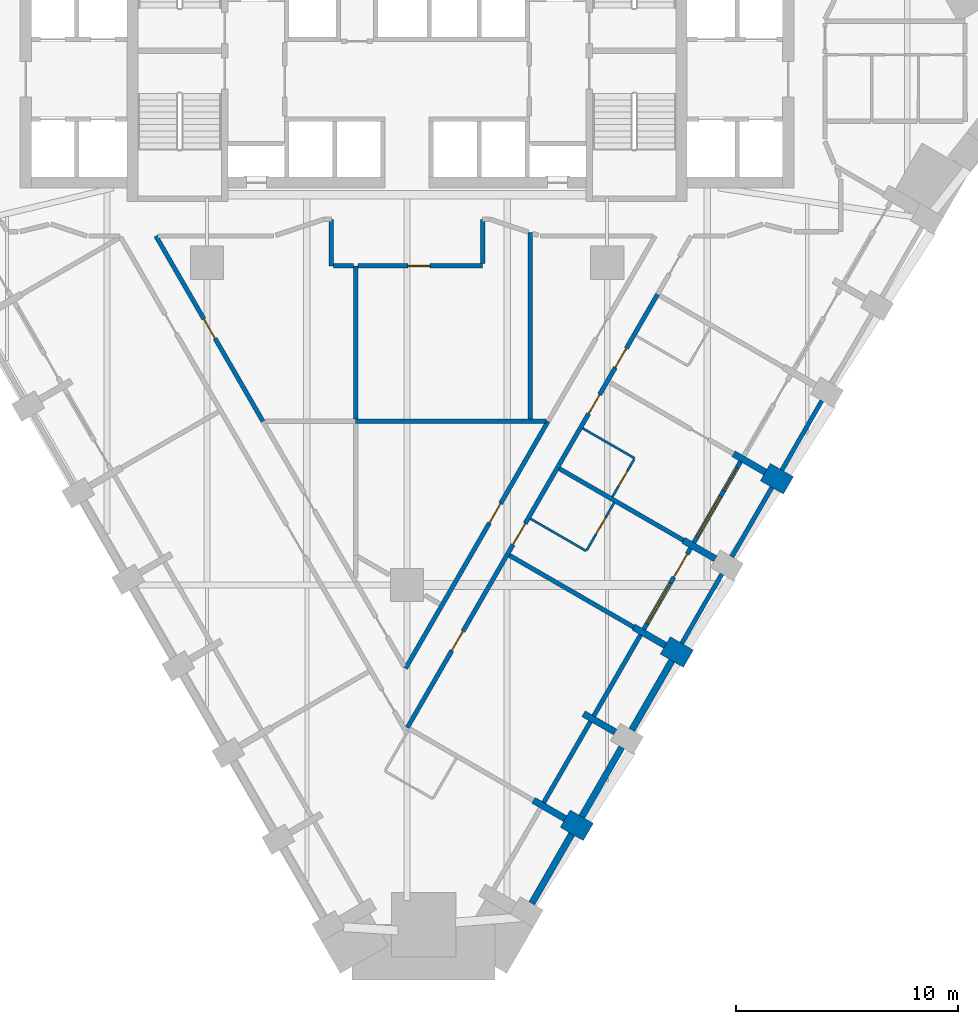
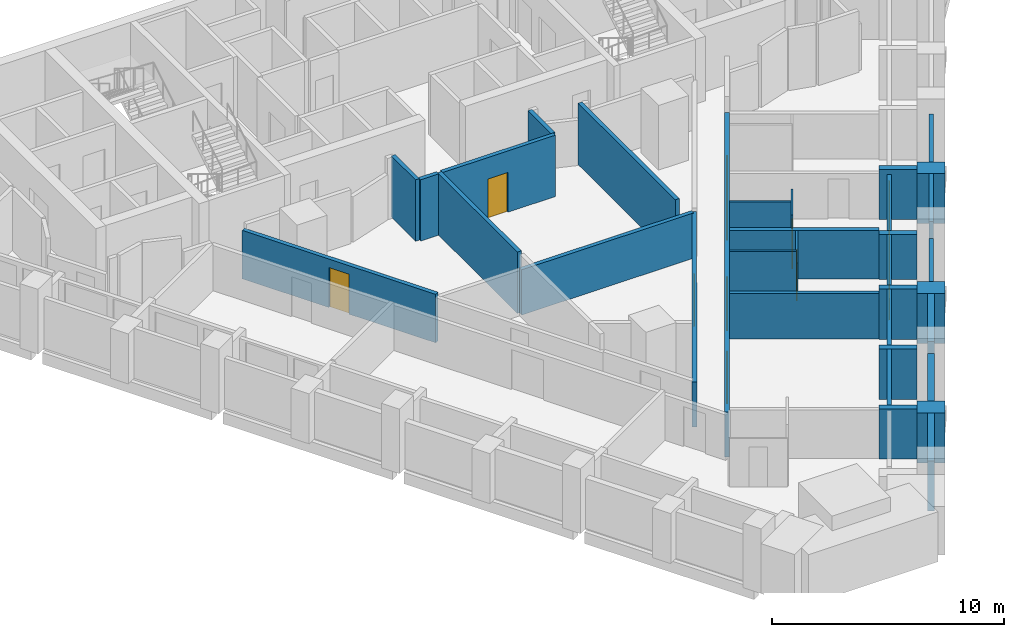
# One storey, part 4 of 11: 34 walls, 11 doors, 2 windows, 13 openings.
"""IFC4 building model written with IfcOpenShell, lengths in metres."""

from ifc_helpers import new_model, si_unit, direction, frame, frame_2d, origin, place, context, subcontext, project, spatial, rectangle, extrude, material, layer, layer_set, type_object, element, fill, save


model = new_model("IFC4")

# Units and contexts
model_context = context("Model", 3, precision=1e-05, world=origin(), true_north=direction((0.0, 1.0)))
body_context = subcontext(model_context, "Body", "Model", "MODEL_VIEW")
ifc_project = project(units=[si_unit("LENGTHUNIT", "METRE"), si_unit("AREAUNIT", "SQUARE_METRE"), si_unit("VOLUMEUNIT", "CUBIC_METRE"), si_unit("PLANEANGLEUNIT", "RADIAN"), si_unit("MASSUNIT", "GRAM", prefix="KILO")], contexts=[model_context])

# Site, building, storey
site_placement = place(None, origin())
site = spatial("IfcSite", under=ifc_project, at=site_placement, CompositionType="ELEMENT")
building_placement = place(site_placement, origin())
building = spatial("IfcBuilding", under=site, at=building_placement, Name="Calabash Gate Tower", CompositionType="ELEMENT")
storey_placement = place(building_placement, frame((0.0, 0.0, 115.60009765625)))
storey = spatial("IfcBuildingStorey", under=building, at=storey_placement, Name="L26", CompositionType="ELEMENT", Elevation=115.60009765625)

# Walls
ifc_material_1 = material(Name="Terracotta brick masonry, exposed face", Category="masonry")
ifc_layer_1 = layer(ifc_material_1, 1.199951171875)
ifc_layer_set_1 = layer_set([ifc_layer_1], Name="Brick end wall 1200")
wall_type_1 = type_object("IfcWallType", Name="Brick end wall 1200", PredefinedType="SOLIDWALL", material=ifc_layer_set_1)
for number, where, z_axis, x_axis, name in (
    (1, (8.156494140625, -23.11083984375, 0.0), (0.0, 0.0, 1.0), (-0.866006032174, 0.500033551112, 0.0), "Brick pier S07 SE2.1"),
    (2, (12.656494140625, -15.316650390625, 0.0), (0.0, 0.0, 1.0), (-0.866006032174, 0.500033551112, 0.0), "Brick pier S07 SE2.3"),
    (3, (17.156494140625, -7.5224609375, 0.0), (0.0, 0.0, 1.0), (-0.866006032174, 0.500033551112, 0.0), "Brick pier S07 SE2.5"),
):
    element("IfcWall", number, at=place(storey_placement, frame(where, z_axis=z_axis, x_axis=x_axis)), inside=storey, type_object=wall_type_1, Name=name, PredefinedType="SOLIDWALL", context=body_context, shape_type="SweptSolid", body=[
        extrude(rectangle(XDim=1.2001953125, YDim=0.89990234375, at=frame_2d((0.60009765625, 0.0))), origin(), (0.0, 0.0, 1.0), 2.6298828125),
    ])
ifc_material_2 = material(Name="Terracotta brick masonry, exposed face", Category="masonry")
ifc_layer_2 = layer(ifc_material_2, 0.300048828125)
ifc_layer_set_2 = layer_set([ifc_layer_2], Name="Brick infill panel wall 300")
wall_type_2 = type_object("IfcWallType", Name="Brick infill panel wall 300", PredefinedType="SOLIDWALL", material=ifc_layer_set_2)
for number, where, z_axis, x_axis, name in (
    (4, (5.61181640625, -26.318115234375, 0.0), (0.0, 0.0, 1.0), (0.500012057535, 0.866018442252, 0.0), "Brick panel S07 SE2.1"),
    (5, (7.86181640625, -22.421142578125, 0.0), (0.0, 0.0, 1.0), (0.500012057535, 0.866018442252, 0.0), "Brick panel S07 SE2.2"),
    (6, (10.11181640625, -18.52392578125, 0.0), (0.0, 0.0, 1.0), (0.500012057535, 0.866018442252, 0.0), "Brick panel S07 SE2.3"),
):
    element("IfcWall", number, at=place(storey_placement, frame(where, z_axis=z_axis, x_axis=x_axis)), inside=storey, type_object=wall_type_2, Name=name, PredefinedType="SOLIDWALL", context=body_context, shape_type="SweptSolid", body=[
        extrude(rectangle(XDim=3.60009765625, YDim=0.300048828125, at=frame_2d((1.800048828125, 0.0))), origin(), (0.0, 0.0, 1.0), 2.6298828125),
    ])
ifc_material_3 = material(Name="Terracotta brick masonry, exposed face", Category="masonry")
ifc_layer_3 = layer(ifc_material_3, 0.300048828125)
ifc_layer_set_3 = layer_set([ifc_layer_3], Name="Brick loggia cheek wall 300")
wall_type_3 = type_object("IfcWallType", Name="Brick loggia cheek wall 300", PredefinedType="SOLIDWALL", material=ifc_layer_set_3)
for number, where, z_axis, x_axis, name in (
    (7, (7.1171875, -22.5107421875, 0.0), (0.0, 0.0, 1.0), (-0.866040211805, 0.499974350878, 0.0), "Loggia cheek S07 SE2.1"),
    (8, (7.938232421875, -17.788818359375, 0.0), (0.0, 0.0, 1.0), (0.866040211805, -0.499974350878, 0.0), "Loggia cheek S07 SE2.2"),
    (9, (11.6171875, -14.716552734375, 0.0), (0.0, 0.0, 1.0), (-0.866040211805, 0.499974350878, 0.0), "Loggia cheek S07 SE2.3"),
):
    element("IfcWall", number, at=place(storey_placement, frame(where, z_axis=z_axis, x_axis=x_axis)), inside=storey, type_object=wall_type_3, Name=name, PredefinedType="SOLIDWALL", context=body_context, shape_type="SweptSolid", body=[
        extrude(rectangle(XDim=1.64990234375, YDim=0.300048828125, at=frame_2d((0.824951171875, 0.0))), origin(), (0.0, 0.0, 1.0), 2.64990234375),
    ])
wall_1_placement = place(storey_placement, frame((12.438232421875, -9.994384765625, 0.0), z_axis=(0.0, 0.0, 1.0), x_axis=(0.866040211805, -0.499974350878, 0.0)))
element("IfcWall", 10, at=wall_1_placement, inside=storey, type_object=wall_type_3, Name="Loggia cheek S07 SE2.4", PredefinedType="SOLIDWALL", context=body_context, shape_type="SweptSolid", body=[
    extrude(rectangle(XDim=1.64990234375, YDim=0.300048828125, at=frame_2d((0.824951171875, 0.0))), origin(), (0.0, 0.0, 1.0), 2.384033203125),
])
wall_2_placement = place(storey_placement, frame((14.688232421875, -6.097412109375, 0.0), z_axis=(0.0, 0.0, 1.0), x_axis=(0.866040211805, -0.499974350878, 0.0)))
element("IfcWall", 11, at=wall_2_placement, inside=storey, type_object=wall_type_3, Name="Loggia cheek S07 SE2.5", PredefinedType="SOLIDWALL", context=body_context, shape_type="SweptSolid", body=[
    extrude(rectangle(XDim=1.64990234375, YDim=0.300048828125, at=frame_2d((0.824951171875, 0.0))), origin(), (0.0, 0.0, 1.0), 2.64990234375),
])

# Wall, opening, door
ifc_material_4 = material(Name="Gypsum board on steel studs, mineral wool", Category="steel")
ifc_layer_4 = layer(ifc_material_4, 0.10009765625)
ifc_layer_set_4 = layer_set([ifc_layer_4], Name="Partition 100 gypsum board")
wall_type_4 = type_object("IfcWallType", Name="Partition 100 gypsum board", PredefinedType="PARTITIONING", material=ifc_layer_set_4)
wall_3_placement = place(storey_placement, frame((8.0888671875, -10.427978515625, 0.0), z_axis=(0.0, 0.0, 1.0), x_axis=(0.500018594424, 0.866014668023, 0.0)))
wall_3 = element("IfcWall", 12, at=wall_3_placement, inside=storey, type_object=wall_type_4, Name="Partition", PredefinedType="PARTITIONING", context=body_context, shape_type="SweptSolid", body=[
    extrude(rectangle(XDim=2.4501953125, YDim=0.10009765625, at=frame_2d((1.22509765625, 0.0))), origin(), (0.0, 0.0, 1.0), 2.5517578125),
])
opening_1_placement = place(wall_3_placement, frame((0.800048828125, 0.0, 0.0)))
opening_1 = element("IfcOpeningElement", 13, at=opening_1_placement, cuts=wall_3, Name="Opening 25-27-005", PredefinedType="OPENING", context=body_context, shape_type="SweptSolid", body=[
    extrude(rectangle(XDim=0.89990234375, YDim=2.10009765625, at=frame_2d((0.449951171875, 1.050048828125))), frame((0.0, 0.06005859375, 0.0), z_axis=(0.0, -1.0, 0.0), x_axis=(1.0, 0.0, 0.0)), (0.0, 0.0, 1.0), 0.1201171875),
])
ifc_material_5 = material(Name="Painted timber door", Category="wood")
door_type_1 = type_object("IfcDoorType", Name="GD6 Accessible en-suite door 900x2100", OperationType="NOTDEFINED", PredefinedType="DOOR", material=ifc_material_5)
door_1_placement = place(opening_1_placement, origin())
door_1 = element("IfcDoor", 14, at=door_1_placement, inside=storey, type_object=door_type_1, Name="Accessible en-suite door", OperationType="SINGLE_SWING_LEFT", OverallHeight=2.10009765625, OverallWidth=0.89990234375, PredefinedType="DOOR", context=body_context, shape_type="SweptSolid", body=[
    extrude(rectangle(XDim=0.89990234375, YDim=2.10009765625, at=frame_2d((0.449951171875, 1.050048828125))), frame((0.0, 0.02490234375, 0.0), z_axis=(0.0, -1.0, 0.0), x_axis=(1.0, 0.0, 0.0)), (0.0, 0.0, 1.0), 0.050048828125),
])
fill(opening_1, door_1)

# Wall
wall_4_placement = place(storey_placement, frame((5.553466796875, -9.019775390625, 0.0), z_axis=(0.0, 0.0, 1.0), x_axis=(0.865729701078, -0.500511822708, 0.0)))
element("IfcWall", 15, at=wall_4_placement, inside=storey, type_object=wall_type_4, Name="Partition", PredefinedType="PARTITIONING", context=body_context, shape_type="SweptSolid", body=[
    extrude(rectangle(XDim=2.89990234375, YDim=0.10009765625, at=frame_2d((1.449951171875, 0.0))), origin(), (0.0, 0.0, 1.0), 3.22998046875),
])

# Wall, opening, door
wall_5_placement = place(storey_placement, frame((9.239501953125, -8.031982421875, 0.0), z_axis=(0.0, 0.0, 1.0), x_axis=(0.500675951608, 0.865634791053, 0.0)))
wall_5 = element("IfcWall", 16, at=wall_5_placement, inside=storey, type_object=wall_type_4, Name="Partition", PredefinedType="PARTITIONING", context=body_context, shape_type="SweptSolid", body=[
    extrude(rectangle(XDim=1.949951171875, YDim=0.10009765625, at=frame_2d((0.97509765625, 0.0))), origin(), (0.0, 0.0, 1.0), 3.22998046875),
])
opening_2_placement = place(wall_5_placement, frame((0.5498046875, 0.0, 0.0)))
opening_2 = element("IfcOpeningElement", 17, at=opening_2_placement, cuts=wall_5, Name="Opening 25-27-007", PredefinedType="OPENING", context=body_context, shape_type="SweptSolid", body=[
    extrude(rectangle(XDim=0.800048828125, YDim=2.10009765625, at=frame_2d((0.39990234375, 1.050048828125))), frame((0.0, 0.06005859375, 0.0), z_axis=(0.0, -1.0, 0.0), x_axis=(1.0, 0.0, 0.0)), (0.0, 0.0, 1.0), 0.1201171875),
])
ifc_material_6 = material(Name="Painted timber door", Category="wood")
door_type_2 = type_object("IfcDoorType", Name="GD5 En-suite door 800x2100", OperationType="NOTDEFINED", PredefinedType="DOOR", material=ifc_material_6)
door_2_placement = place(opening_2_placement, origin())
door_2 = element("IfcDoor", 18, at=door_2_placement, inside=storey, type_object=door_type_2, Name="En-suite door", OperationType="SINGLE_SWING_LEFT", OverallHeight=2.10009765625, OverallWidth=0.800048828125, PredefinedType="DOOR", context=body_context, shape_type="SweptSolid", body=[
    extrude(rectangle(XDim=0.800048828125, YDim=2.10009765625, at=frame_2d((0.39990234375, 1.050048828125))), frame((0.0, 0.02490234375, 0.0), z_axis=(0.0, -1.0, 0.0), x_axis=(1.0, 0.0, 0.0)), (0.0, 0.0, 1.0), 0.050048828125),
])
fill(opening_2, door_2)

# Wall
wall_6_placement = place(storey_placement, frame((7.90185546875, -4.952392578125, 0.0), z_axis=(0.0, 0.0, 1.0), x_axis=(0.866339109022, -0.499456252518, 0.0)))
element("IfcWall", 19, at=wall_6_placement, inside=storey, type_object=wall_type_4, Name="Partition", PredefinedType="PARTITIONING", context=body_context, shape_type="SweptSolid", body=[
    extrude(rectangle(XDim=2.69970703125, YDim=0.10009765625, at=frame_2d((1.349853515625, 0.0))), origin(), (0.0, 0.0, 1.0), 2.5517578125),
])

# Wall, opening, door
ifc_material_7 = material(Name="Gypsum board on steel studs, mineral wool", Category="steel")
ifc_layer_5 = layer(ifc_material_7, 0.199951171875)
ifc_layer_set_5 = layer_set([ifc_layer_5], Name="Partition 200 gypsum board EI 60")
wall_type_5 = type_object("IfcWallType", Name="Partition 200 gypsum board EI 60", PredefinedType="PARTITIONING", material=ifc_layer_set_5)
wall_7_placement = place(storey_placement, frame((-0.0654296875, -15.751220703125, 0.0), z_axis=(0.0, 0.0, 1.0), x_axis=(0.499524753178, 0.866299613854, 0.0)))
wall_7 = element("IfcWall", 20, at=wall_7_placement, inside=storey, type_object=wall_type_5, Name="Partition", PredefinedType="PARTITIONING", context=body_context, shape_type="SweptSolid", body=[
    extrude(rectangle(XDim=12.82958984375, YDim=0.199951171875, at=frame_2d((6.414794921875, 0.0))), origin(), (0.0, 0.0, 1.0), 2.3740234375),
])
opening_3_placement = place(wall_7_placement, frame((7.55615234375, 0.0, 0.0)))
opening_3 = element("IfcOpeningElement", 21, at=opening_3_placement, cuts=wall_7, Name="Opening 25-27-016", PredefinedType="OPENING", context=body_context, shape_type="SweptSolid", body=[
    extrude(rectangle(XDim=1.0, YDim=2.10009765625, at=frame_2d((0.5, 1.050048828125))), frame((0.0, 0.10986328125, 0.0), z_axis=(0.0, -1.0, 0.0), x_axis=(1.0, 0.0, 0.0)), (0.0, 0.0, 1.0), 0.219970703125),
])
ifc_material_8 = material(Name="Steel fire door set with fire-resisting glazing", Category="steel")
door_type_3 = type_object("IfcDoorType", Name="LD2 Meeting room door 1000x2100", OperationType="NOTDEFINED", PredefinedType="DOOR", material=ifc_material_8)
door_3_placement = place(opening_3_placement, origin())
door_3 = element("IfcDoor", 22, at=door_3_placement, inside=storey, type_object=door_type_3, Name="Meeting room door", OperationType="SINGLE_SWING_RIGHT", OverallHeight=2.10009765625, OverallWidth=1.0, PredefinedType="DOOR", context=body_context, shape_type="SweptSolid", body=[
    extrude(rectangle(XDim=1.0, YDim=2.10009765625, at=frame_2d((0.5, 1.050048828125))), frame((0.0, 0.02490234375, 0.0), z_axis=(0.0, -1.0, 0.0), x_axis=(1.0, 0.0, 0.0)), (0.0, 0.0, 1.0), 0.050048828125),
])
fill(opening_3, door_3)

# Walls
wall_8_placement = place(storey_placement, frame((4.603515625, -10.6650390625, 0.0), z_axis=(0.0, 0.0, 1.0), x_axis=(0.865901871826, -0.500213902613, 0.0)))
element("IfcWall", 23, at=wall_8_placement, inside=storey, type_object=wall_type_5, Name="Partition", PredefinedType="PARTITIONING", context=body_context, shape_type="SweptSolid", body=[
    extrude(rectangle(XDim=6.449951171875, YDim=0.199951171875, at=frame_2d((3.22509765625, 0.0))), origin(), (0.0, 0.0, 1.0), 2.3740234375),
])
wall_9_placement = place(storey_placement, frame((6.853515625, -6.767822265625, 0.0), z_axis=(0.0, 0.0, 1.0), x_axis=(0.866012238917, -0.500022801525, 0.0)))
element("IfcWall", 24, at=wall_9_placement, inside=storey, type_object=wall_type_5, Name="Partition", PredefinedType="PARTITIONING", context=body_context, shape_type="SweptSolid", body=[
    extrude(rectangle(XDim=6.449951171875, YDim=0.199951171875, at=frame_2d((3.22509765625, 0.0))), origin(), (0.0, 0.0, 1.0), 2.5517578125),
])
wall_10_placement = place(storey_placement, frame((-2.311279296875, -4.641357421875, 0.0), z_axis=(0.0, 0.0, 1.0), x_axis=(1.0, 0.0, 0.0)))
element("IfcWall", 25, at=wall_10_placement, inside=storey, type_object=wall_type_5, Name="Partition", PredefinedType="PARTITIONING", context=body_context, shape_type="SweptSolid", body=[
    extrude(rectangle(XDim=8.56005859375, YDim=0.199951171875, at=frame_2d((4.280029296875, 0.0))), origin(), (0.0, 0.0, 1.0), 2.384033203125),
])

# Wall, openings, doors
wall_11_placement = place(storey_placement, frame((0.017578125, -18.411865234375, 0.0), z_axis=(0.0, 0.0, 1.0), x_axis=(0.49999953585, 0.866025671762, 0.0)))
wall_11 = element("IfcWall", 26, at=wall_11_placement, inside=storey, type_object=wall_type_5, Name="Partition", PredefinedType="PARTITIONING", context=body_context, shape_type="SweptSolid", body=[
    extrude(rectangle(XDim=22.5, YDim=0.199951171875, at=frame_2d((11.25, 0.0))), origin(), (0.0, 0.0, 1.0), 2.3740234375),
])
opening_4_placement = place(wall_11_placement, frame((4.0, 0.0, 0.0)))
opening_4 = element("IfcOpeningElement", 27, at=opening_4_placement, cuts=wall_11, Name="Opening 25-27-003", PredefinedType="OPENING", context=body_context, shape_type="SweptSolid", body=[
    extrude(rectangle(XDim=1.0, YDim=2.10009765625, at=frame_2d((0.5, 1.050048828125))), frame((0.0, 0.10986328125, 0.0), z_axis=(0.0, -1.0, 0.0), x_axis=(1.0, 0.0, 0.0)), (0.0, 0.0, 1.0), 0.219970703125),
])
opening_5_placement = place(wall_11_placement, frame((9.5, 0.0, 0.0)))
opening_5 = element("IfcOpeningElement", 28, at=opening_5_placement, cuts=wall_11, Name="Opening 25-27-004", PredefinedType="OPENING", context=body_context, shape_type="SweptSolid", body=[
    extrude(rectangle(XDim=1.10009765625, YDim=2.10009765625, at=frame_2d((0.550048828125, 1.050048828125))), frame((0.0, 0.10986328125, 0.0), z_axis=(0.0, -1.0, 0.0), x_axis=(1.0, 0.0, 0.0)), (0.0, 0.0, 1.0), 0.219970703125),
])
opening_6_placement = place(wall_11_placement, frame((16.2998046875, 0.0, 0.0)))
opening_6 = element("IfcOpeningElement", 29, at=opening_6_placement, cuts=wall_11, Name="Opening 25-27-006", PredefinedType="OPENING", context=body_context, shape_type="SweptSolid", body=[
    extrude(rectangle(XDim=1.0, YDim=2.10009765625, at=frame_2d((0.5, 1.050048828125))), frame((0.0, 0.10986328125, 0.0), z_axis=(0.0, -1.0, 0.0), x_axis=(1.0, 0.0, 0.0)), (0.0, 0.0, 1.0), 0.219970703125),
])
opening_7_placement = place(wall_11_placement, frame((18.699951171875, 0.0, 0.0)))
opening_7 = element("IfcOpeningElement", 30, at=opening_7_placement, cuts=wall_11, Name="Opening 25-27-008", PredefinedType="OPENING", context=body_context, shape_type="SweptSolid", body=[
    extrude(rectangle(XDim=1.0, YDim=2.10009765625, at=frame_2d((0.5, 1.050048828125))), frame((0.0, 0.10986328125, 0.0), z_axis=(0.0, -1.0, 0.0), x_axis=(1.0, 0.0, 0.0)), (0.0, 0.0, 1.0), 0.219970703125),
])
ifc_material_9 = material(Name="Steel fire door set with fire-resisting glazing", Category="steel")
door_type_4 = type_object("IfcDoorType", Name="GD1 Guest room entrance door 1000x2100", OperationType="NOTDEFINED", PredefinedType="DOOR", material=ifc_material_9)
door_4_placement = place(opening_6_placement, origin())
door_4 = element("IfcDoor", 31, at=door_4_placement, inside=storey, type_object=door_type_4, Name="Guest room entrance door", OperationType="SINGLE_SWING_LEFT", OverallHeight=2.10009765625, OverallWidth=1.0, PredefinedType="DOOR", context=body_context, shape_type="SweptSolid", body=[
    extrude(rectangle(XDim=1.0, YDim=2.10009765625, at=frame_2d((0.5, 1.050048828125))), frame((0.0, 0.02490234375, 0.0), z_axis=(0.0, -1.0, 0.0), x_axis=(1.0, 0.0, 0.0)), (0.0, 0.0, 1.0), 0.050048828125),
])
fill(opening_6, door_4)
door_5_placement = place(opening_7_placement, origin())
door_5 = element("IfcDoor", 32, at=door_5_placement, inside=storey, type_object=door_type_4, Name="Guest room entrance door", OperationType="SINGLE_SWING_RIGHT", OverallHeight=2.10009765625, OverallWidth=1.0, PredefinedType="DOOR", context=body_context, shape_type="SweptSolid", body=[
    extrude(rectangle(XDim=1.0, YDim=2.10009765625, at=frame_2d((0.5, 1.050048828125))), frame((0.0, 0.02490234375, 0.0), z_axis=(0.0, -1.0, 0.0), x_axis=(1.0, 0.0, 0.0)), (0.0, 0.0, 1.0), 0.050048828125),
])
fill(opening_7, door_5)
ifc_material_10 = material(Name="Steel fire door set with fire-resisting glazing", Category="steel")
door_type_5 = type_object("IfcDoorType", Name="GD2 Accessible guest room entrance door 1100x2100", OperationType="NOTDEFINED", PredefinedType="DOOR", material=ifc_material_10)
door_6_placement = place(opening_5_placement, origin())
door_6 = element("IfcDoor", 33, at=door_6_placement, inside=storey, type_object=door_type_5, Name="Accessible guest room entrance door", OperationType="SINGLE_SWING_RIGHT", OverallHeight=2.10009765625, OverallWidth=1.10009765625, PredefinedType="DOOR", context=body_context, shape_type="SweptSolid", body=[
    extrude(rectangle(XDim=1.10009765625, YDim=2.10009765625, at=frame_2d((0.550048828125, 1.050048828125))), frame((0.0, 0.02490234375, 0.0), z_axis=(0.0, -1.0, 0.0), x_axis=(1.0, 0.0, 0.0)), (0.0, 0.0, 1.0), 0.050048828125),
])
fill(opening_5, door_6)
door_7_placement = place(opening_4_placement, origin())
door_7 = element("IfcDoor", 34, at=door_7_placement, inside=storey, type_object=door_type_3, Name="Meeting room door", OperationType="SINGLE_SWING_RIGHT", OverallHeight=2.10009765625, OverallWidth=1.0, PredefinedType="DOOR", context=body_context, shape_type="SweptSolid", body=[
    extrude(rectangle(XDim=1.0, YDim=2.10009765625, at=frame_2d((0.5, 1.050048828125))), frame((0.0, 0.02490234375, 0.0), z_axis=(0.0, -1.0, 0.0), x_axis=(1.0, 0.0, 0.0)), (0.0, 0.0, 1.0), 0.050048828125),
])
fill(opening_4, door_7)

# Walls
wall_12_placement = place(storey_placement, frame((-3.402099609375, 4.45068359375, 0.0), z_axis=(0.0, 0.0, 1.0), x_axis=(0.000930881607, -0.99999956673, 0.0)))
element("IfcWall", 35, at=wall_12_placement, inside=storey, type_object=wall_type_5, Name="Partition", PredefinedType="PARTITIONING", context=body_context, shape_type="SweptSolid", body=[
    extrude(rectangle(XDim=2.09814453125, YDim=0.199951171875, at=frame_2d((1.049072265625, 0.0))), origin(), (0.0, 0.0, 1.0), 3.22998046875),
])
wall_13_placement = place(storey_placement, frame((-3.30029296875, 2.352294921875, 0.0), z_axis=(0.0, 0.0, 1.0), x_axis=(0.999998150893, -0.001923073367, 0.0)))
element("IfcWall", 36, at=wall_13_placement, inside=storey, type_object=wall_type_5, Name="Partition", PredefinedType="PARTITIONING", context=body_context, shape_type="SweptSolid", body=[
    extrude(rectangle(XDim=0.888671875, YDim=0.199951171875, at=frame_2d((0.4443359375, 0.0))), origin(), (0.0, 0.0, 1.0), 3.22998046875),
])
wall_14_placement = place(storey_placement, frame((-2.3095703125, -4.539306640625, 0.0), z_axis=(0.0, 0.0, 1.0), x_axis=(0.0, 1.0, 0.0)))
element("IfcWall", 37, at=wall_14_placement, inside=storey, type_object=wall_type_5, Name="Partition", PredefinedType="PARTITIONING", context=body_context, shape_type="SweptSolid", body=[
    extrude(rectangle(XDim=6.8916015625, YDim=0.199951171875, at=frame_2d((3.44580078125, 0.0))), origin(), (0.0, 0.0, 1.0), 3.22998046875),
])

# Wall, opening, door
wall_15_placement = place(storey_placement, frame((-2.211181640625, 2.3505859375, 0.0), z_axis=(0.0, 0.0, 1.0), x_axis=(0.999999953622, 0.00030455968, 0.0)))
wall_15 = element("IfcWall", 38, at=wall_15_placement, inside=storey, type_object=wall_type_5, Name="Partition", PredefinedType="PARTITIONING", context=body_context, shape_type="SweptSolid", body=[
    extrude(rectangle(XDim=5.611328125, YDim=0.199951171875, at=frame_2d((2.8056640625, 0.0))), origin(), (0.0, 0.0, 1.0), 3.22998046875),
])
opening_8_placement = place(wall_15_placement, frame((2.254638671875, 0.0, 0.0)))
opening_8 = element("IfcOpeningElement", 39, at=opening_8_placement, cuts=wall_15, Name="Opening 25-27-012", PredefinedType="OPENING", context=body_context, shape_type="SweptSolid", body=[
    extrude(rectangle(XDim=1.0, YDim=2.10009765625, at=frame_2d((0.5, 1.050048828125))), frame((0.0, 0.10986328125, 0.0), z_axis=(0.0, -1.0, 0.0), x_axis=(1.0, 0.0, 0.0)), (0.0, 0.0, 1.0), 0.219970703125),
])
door_8_placement = place(opening_8_placement, origin())
door_8 = element("IfcDoor", 40, at=door_8_placement, inside=storey, type_object=door_type_3, Name="Meeting room door", OperationType="SINGLE_SWING_LEFT", OverallHeight=2.10009765625, OverallWidth=1.0, PredefinedType="DOOR", context=body_context, shape_type="SweptSolid", body=[
    extrude(rectangle(XDim=1.0, YDim=2.10009765625, at=frame_2d((0.5, 1.050048828125))), frame((0.0, 0.02490234375, 0.0), z_axis=(0.0, -1.0, 0.0), x_axis=(1.0, 0.0, 0.0)), (0.0, 0.0, 1.0), 0.050048828125),
])
fill(opening_8, door_8)

wall_16_placement = place(storey_placement, frame((-11.29541015625, 3.69970703125, 0.0), z_axis=(0.0, 0.0, 1.0), x_axis=(0.500160597015, -0.865932663198, 0.0)))
wall_16 = element("IfcWall", 41, at=wall_16_placement, inside=storey, type_object=wall_type_5, Name="Partition", PredefinedType="PARTITIONING", context=body_context, shape_type="SweptSolid", body=[
    extrude(rectangle(XDim=9.630126953125, YDim=0.199951171875, at=frame_2d((4.81494140625, 0.0))), origin(), (0.0, 0.0, 1.0), 2.5517578125),
])
opening_9_placement = place(wall_16_placement, frame((4.3154296875, 0.0, 0.0)))
opening_9 = element("IfcOpeningElement", 42, at=opening_9_placement, cuts=wall_16, Name="Opening 25-27-011", PredefinedType="OPENING", context=body_context, shape_type="SweptSolid", body=[
    extrude(rectangle(XDim=1.0, YDim=2.10009765625, at=frame_2d((0.5, 1.050048828125))), frame((0.0, 0.10986328125, 0.0), z_axis=(0.0, -1.0, 0.0), x_axis=(1.0, 0.0, 0.0)), (0.0, 0.0, 1.0), 0.219970703125),
])
door_9_placement = place(opening_9_placement, origin())
door_9 = element("IfcDoor", 43, at=door_9_placement, inside=storey, type_object=door_type_3, Name="Meeting room door", OperationType="SINGLE_SWING_RIGHT", OverallHeight=2.10009765625, OverallWidth=1.0, PredefinedType="DOOR", context=body_context, shape_type="SweptSolid", body=[
    extrude(rectangle(XDim=1.0, YDim=2.10009765625, at=frame_2d((0.5, 1.050048828125))), frame((0.0, 0.02490234375, 0.0), z_axis=(0.0, -1.0, 0.0), x_axis=(1.0, 0.0, 0.0)), (0.0, 0.0, 1.0), 0.050048828125),
])
fill(opening_9, door_9)

# Walls
wall_17_placement = place(storey_placement, frame((5.550048828125, -4.539306640625, 0.0), z_axis=(0.0, 0.0, 1.0), x_axis=(0.000203731187, 0.999999979247, 0.0)))
element("IfcWall", 44, at=wall_17_placement, inside=storey, type_object=wall_type_5, Name="Partition", PredefinedType="PARTITIONING", context=body_context, shape_type="SweptSolid", body=[
    extrude(rectangle(XDim=8.388427734375, YDim=0.199951171875, at=frame_2d((4.1943359375, 0.0))), origin(), (0.0, 0.0, 1.0), 3.22998046875),
])
wall_18_placement = place(storey_placement, frame((3.400146484375, 2.452392578125, 0.0), z_axis=(0.0, 0.0, 1.0), x_axis=(0.000977397212, 0.999999522347, 0.0)))
element("IfcWall", 45, at=wall_18_placement, inside=storey, type_object=wall_type_5, Name="Partition", PredefinedType="PARTITIONING", context=body_context, shape_type="SweptSolid", body=[
    extrude(rectangle(XDim=1.998291015625, YDim=0.199951171875, at=frame_2d((0.9990234375, 0.0))), origin(), (0.0, 0.0, 1.0), 3.22998046875),
])
ifc_material_11 = material(Name="Terracotta brick masonry, perforated", Category="masonry")
ifc_layer_6 = layer(ifc_material_11, 0.199951171875)
ifc_layer_set_6 = layer_set([ifc_layer_6], Name="Terracotta jaali screen A")
wall_type_6 = type_object("IfcWallType", Name="Terracotta jaali screen A", PredefinedType="SOLIDWALL", material=ifc_layer_set_6)
wall_19_placement = place(storey_placement, frame((12.36181640625, -14.626953125, 0.0), z_axis=(0.0, 0.0, 1.0), x_axis=(0.500012057535, 0.866018442252, 0.0)))
element("IfcWall", 46, at=wall_19_placement, inside=storey, type_object=wall_type_6, Name="SCREEN A S07 SE2.4", PredefinedType="SOLIDWALL", context=body_context, shape_type="SweptSolid", body=[
    extrude(rectangle(XDim=3.60009765625, YDim=0.199951171875, at=frame_2d((1.800048828125, 0.0))), origin(), (0.0, 0.0, 1.0), 2.3740234375),
])
for number, where, z_axis, x_axis, name in (
    (47, (14.61181640625, -10.729736328125, 0.0), (0.0, 0.0, 1.0), (0.500012057535, 0.866018442252, 0.0), "SCREEN A S07 SE2.5"),
    (48, (16.86181640625, -6.832763671875, 0.0), (0.0, 0.0, 1.0), (0.500012057535, 0.866018442252, 0.0), "SCREEN A S07 SE2.6"),
):
    element("IfcWall", number, at=place(storey_placement, frame(where, z_axis=z_axis, x_axis=x_axis)), inside=storey, type_object=wall_type_6, Name=name, PredefinedType="SOLIDWALL", context=body_context, shape_type="SweptSolid", body=[
        extrude(rectangle(XDim=3.60009765625, YDim=0.199951171875, at=frame_2d((1.800048828125, 0.0))), origin(), (0.0, 0.0, 1.0), 2.6298828125),
    ])
ifc_material_12 = material(Name="Aluminium framed window wall with insulated spandrel", Category="aluminium")
ifc_layer_7 = layer(ifc_material_12, 0.199951171875)
ifc_layer_set_7 = layer_set([ifc_layer_7], Name="Window wall 200")
wall_type_7 = type_object("IfcWallType", Name="Window wall 200", PredefinedType="ELEMENTEDWALL", material=ifc_layer_set_7)
for number, where, z_axis, x_axis, name in (
    (49, (6.153076171875, -21.781005859375, 0.0), (0.0, 0.0, 1.0), (0.499958946799, 0.866049104564, 0.0), "Window wall S07 SE2.2"),
    (50, (8.403076171875, -17.8837890625, 0.0), (0.0, 0.0, 1.0), (0.49998411664, 0.866034573852, 0.0), "Window wall S07 SE2.3"),
):
    element("IfcWall", number, at=place(storey_placement, frame(where, z_axis=z_axis, x_axis=x_axis)), inside=storey, type_object=wall_type_7, Name=name, PredefinedType="ELEMENTEDWALL", context=body_context, shape_type="SweptSolid", body=[
        extrude(rectangle(XDim=4.199951171875, YDim=0.199951171875, at=frame_2d((2.10009765625, 0.0))), origin(), (0.0, 0.0, 1.0), 2.64990234375),
    ])

# Wall, openings, door, window
wall_20_placement = place(storey_placement, frame((10.653076171875, -13.98681640625, 0.0), z_axis=(0.0, 0.0, 1.0), x_axis=(0.499958946799, 0.866049104564, 0.0)))
wall_20 = element("IfcWall", 51, at=wall_20_placement, inside=storey, type_object=wall_type_7, Name="Window wall S07 SE2.4", PredefinedType="ELEMENTEDWALL", context=body_context, shape_type="SweptSolid", body=[
    extrude(rectangle(XDim=4.199951171875, YDim=0.199951171875, at=frame_2d((2.10009765625, 0.0))), origin(), (0.0, 0.0, 1.0), 2.3740234375),
])
opening_10_placement = place(wall_20_placement, frame((0.300048828125, 0.0, 0.60009765625)))
opening_10 = element("IfcOpeningElement", 52, at=opening_10_placement, cuts=wall_20, Name="Opening HW1L-1670", PredefinedType="OPENING", context=body_context, shape_type="SweptSolid", body=[
    extrude(rectangle(XDim=2.10009765625, YDim=1.669921875, at=frame_2d((1.050048828125, 0.8349609375))), frame((0.0, 0.10986328125, 0.0), z_axis=(0.0, -1.0, 0.0), x_axis=(1.0, 0.0, 0.0)), (0.0, 0.0, 1.0), 0.219970703125),
])
opening_11_placement = place(wall_20_placement, frame((2.699951171875, 0.0, 0.0)))
opening_11 = element("IfcOpeningElement", 53, at=opening_11_placement, cuts=wall_20, Name="Opening H7-019", PredefinedType="OPENING", context=body_context, shape_type="SweptSolid", body=[
    extrude(rectangle(XDim=1.199951171875, YDim=2.27001953125, at=frame_2d((0.60009765625, 1.135009765625))), frame((0.0, 0.10986328125, 0.0), z_axis=(0.0, -1.0, 0.0), x_axis=(1.0, 0.0, 0.0)), (0.0, 0.0, 1.0), 0.219970703125),
])
ifc_material_13 = material(Name="Anodised aluminium frame, bronze finish, impact-rated laminated clear glazing", Category="aluminium")
door_type_6 = type_object("IfcDoorType", Name="Loggia door DH1L-2270 1200x2270", OperationType="SLIDING_TO_LEFT", PredefinedType="DOOR", material=ifc_material_13)
door_10_placement = place(opening_11_placement, origin())
door_10 = element("IfcDoor", 54, at=door_10_placement, inside=storey, type_object=door_type_6, Name="Loggia door S07 SE2.4", OperationType="SINGLE_SWING_LEFT", OverallHeight=2.27001953125, OverallWidth=1.199951171875, PredefinedType="DOOR", context=body_context, shape_type="SweptSolid", body=[
    extrude(rectangle(XDim=1.199951171875, YDim=2.27001953125, at=frame_2d((0.60009765625, 1.135009765625))), frame((0.0, 0.02490234375, 0.0), z_axis=(0.0, -1.0, 0.0), x_axis=(1.0, 0.0, 0.0)), (0.0, 0.0, 1.0), 0.050048828125),
])
fill(opening_11, door_10)
ifc_material_14 = material(Name="Anodised aluminium frame, bronze finish, impact-rated laminated clear glazing", Category="aluminium")
window_type_1 = type_object("IfcWindowType", Name="Window HW1L 2100x1670", PartitioningType="DOUBLE_PANEL_VERTICAL", PredefinedType="WINDOW", material=ifc_material_14)
window_1_placement = place(opening_10_placement, origin())
window_1 = element("IfcWindow", 55, at=window_1_placement, inside=storey, type_object=window_type_1, Name="Window HW1 S07 SE2.4", OverallHeight=1.669921875, OverallWidth=2.10009765625, PartitioningType="SINGLE_PANEL", PredefinedType="WINDOW", context=body_context, shape_type="SweptSolid", body=[
    extrude(rectangle(XDim=2.10009765625, YDim=1.669921875, at=frame_2d((1.050048828125, 0.8349609375))), frame((0.0, 0.030029296875, 0.0), z_axis=(0.0, -1.0, 0.0), x_axis=(1.0, 0.0, 0.0)), (0.0, 0.0, 1.0), 0.06005859375),
])
fill(opening_10, window_1)

wall_21_placement = place(storey_placement, frame((12.903076171875, -10.089599609375, 0.0), z_axis=(0.0, 0.0, 1.0), x_axis=(0.49998411664, 0.866034573852, 0.0)))
wall_21 = element("IfcWall", 56, at=wall_21_placement, inside=storey, type_object=wall_type_7, Name="Window wall S07 SE2.5", PredefinedType="ELEMENTEDWALL", context=body_context, shape_type="SweptSolid", body=[
    extrude(rectangle(XDim=4.199951171875, YDim=0.199951171875, at=frame_2d((2.10009765625, 0.0))), origin(), (0.0, 0.0, 1.0), 2.384033203125),
])
opening_12_placement = place(wall_21_placement, frame((0.300048828125, 0.0, 0.60009765625)))
opening_12 = element("IfcOpeningElement", 57, at=opening_12_placement, cuts=wall_21, Name="Opening HW1L-1680", PredefinedType="OPENING", context=body_context, shape_type="SweptSolid", body=[
    extrude(rectangle(XDim=2.10009765625, YDim=1.679931640625, at=frame_2d((1.050048828125, 0.83984375))), frame((0.0, 0.10986328125, 0.0), z_axis=(0.0, -1.0, 0.0), x_axis=(1.0, 0.0, 0.0)), (0.0, 0.0, 1.0), 0.219970703125),
])
opening_13_placement = place(wall_21_placement, frame((2.699951171875, 0.0, 0.0)))
opening_13 = element("IfcOpeningElement", 58, at=opening_13_placement, cuts=wall_21, Name="Opening H7-020", PredefinedType="OPENING", context=body_context, shape_type="SweptSolid", body=[
    extrude(rectangle(XDim=1.199951171875, YDim=2.280029296875, at=frame_2d((0.60009765625, 1.14013671875))), frame((0.0, 0.10986328125, 0.0), z_axis=(0.0, -1.0, 0.0), x_axis=(1.0, 0.0, 0.0)), (0.0, 0.0, 1.0), 0.219970703125),
])
ifc_material_15 = material(Name="Anodised aluminium frame, bronze finish, impact-rated laminated clear glazing", Category="aluminium")
door_type_7 = type_object("IfcDoorType", Name="Loggia door DH1L-2280 1200x2280", OperationType="SLIDING_TO_LEFT", PredefinedType="DOOR", material=ifc_material_15)
door_11_placement = place(opening_13_placement, origin())
door_11 = element("IfcDoor", 59, at=door_11_placement, inside=storey, type_object=door_type_7, Name="Loggia door S07 SE2.5", OperationType="SINGLE_SWING_LEFT", OverallHeight=2.280029296875, OverallWidth=1.199951171875, PredefinedType="DOOR", context=body_context, shape_type="SweptSolid", body=[
    extrude(rectangle(XDim=1.199951171875, YDim=2.280029296875, at=frame_2d((0.60009765625, 1.14013671875))), frame((0.0, 0.02490234375, 0.0), z_axis=(0.0, -1.0, 0.0), x_axis=(1.0, 0.0, 0.0)), (0.0, 0.0, 1.0), 0.050048828125),
])
fill(opening_13, door_11)
ifc_material_16 = material(Name="Anodised aluminium frame, bronze finish, impact-rated laminated clear glazing", Category="aluminium")
window_type_2 = type_object("IfcWindowType", Name="Window HW1L 2100x1680", PartitioningType="DOUBLE_PANEL_VERTICAL", PredefinedType="WINDOW", material=ifc_material_16)
window_2_placement = place(opening_12_placement, origin())
window_2 = element("IfcWindow", 60, at=window_2_placement, inside=storey, type_object=window_type_2, Name="Window HW1 S07 SE2.5", OverallHeight=1.679931640625, OverallWidth=2.10009765625, PartitioningType="SINGLE_PANEL", PredefinedType="WINDOW", context=body_context, shape_type="SweptSolid", body=[
    extrude(rectangle(XDim=2.10009765625, YDim=1.679931640625, at=frame_2d((1.050048828125, 0.83984375))), frame((0.0, 0.030029296875, 0.0), z_axis=(0.0, -1.0, 0.0), x_axis=(1.0, 0.0, 0.0)), (0.0, 0.0, 1.0), 0.06005859375),
])
fill(opening_12, window_2)

save(model, "model.ifc")
